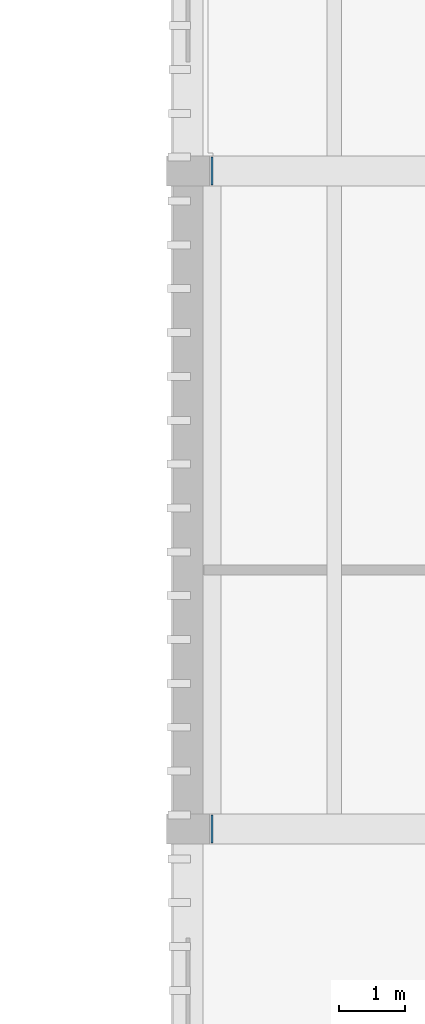
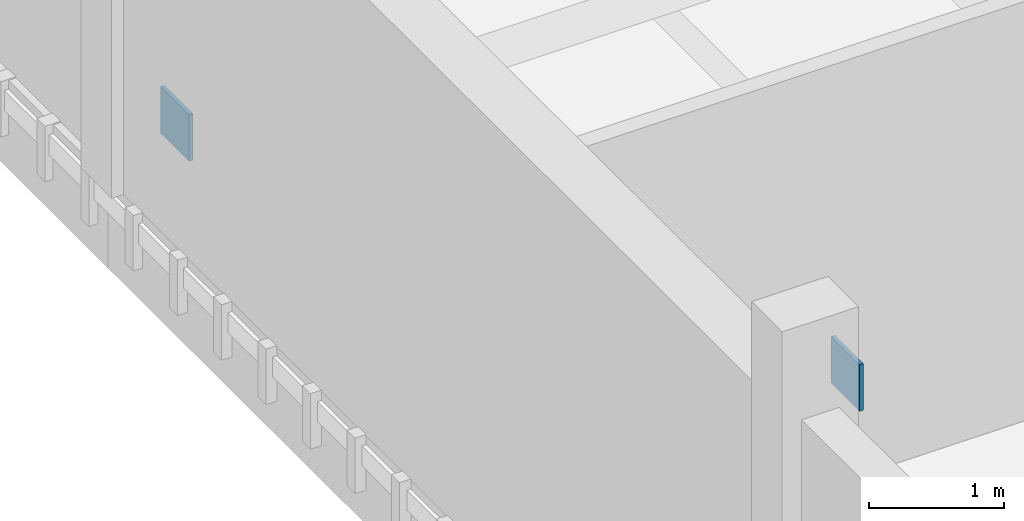
# One storey, part 19 of 39: 2 plates.
"""IFC4 building model written with IfcOpenShell, lengths in metres."""

from ifc_helpers import new_model, si_unit, direction, frame, origin, origin_2d, place, context, subcontext, project, spatial, rectangle, extrude, material, layer, layer_set, type_object, element, save


model = new_model("IFC4")

# Units and contexts
model_context = context("Model", 3, precision=1e-05, world=origin(), true_north=direction((0.0, 1.0)))
body_context = subcontext(model_context, "Body", "Model", "MODEL_VIEW")
ifc_project = project(units=[si_unit("LENGTHUNIT", "METRE"), si_unit("AREAUNIT", "SQUARE_METRE"), si_unit("VOLUMEUNIT", "CUBIC_METRE"), si_unit("PLANEANGLEUNIT", "RADIAN"), si_unit("MASSUNIT", "GRAM", prefix="KILO")], contexts=[model_context])

# Site, building, storey
site_placement = place(None, origin())
site = spatial("IfcSite", under=ifc_project, at=site_placement, CompositionType="ELEMENT")
building_placement = place(site_placement, origin())
building = spatial("IfcBuilding", under=site, at=building_placement, Name="Dornvale Research Institute", CompositionType="ELEMENT")
storey_placement = place(building_placement, frame((0.0, 0.0, 24.60009765625)))
storey = spatial("IfcBuildingStorey", under=building, at=storey_placement, Name="L05", CompositionType="ELEMENT", Elevation=24.60009765625)

# Plates
ifc_material = material(Name="Steel ASTM A572 Grade 50", Category="steel")
ifc_layer = layer(ifc_material, 0.031982421875)
ifc_layer_set = layer_set([ifc_layer], Name="Steel ASTM A572 Grade 50")
plate_type = type_object("IfcPlateType", Name="SheetPlate_Gusset_32", PredefinedType="SHEET", material=ifc_layer_set)
for number, where, z_axis, x_axis, name in (
    (1, (119.159912109375, 112.199951171875, 0.08984375), (0.0, 0.0, 1.0), (0.0, 1.0, 0.0), "HSS brace node gusset and cap plate ND-049"),
    (2, (119.159912109375, 102.300048828125, 3.83984375), (0.0, 0.0, 1.0), (0.0, 1.0, 0.0), "HSS brace node gusset and cap plate ND-050"),
):
    element("IfcPlate", number, at=place(storey_placement, frame(where, z_axis=z_axis, x_axis=x_axis)), inside=storey, type_object=plate_type, Name=name, PredefinedType="SHEET", context=body_context, shape_type="SweptSolid", body=[
        extrude(rectangle(XDim=0.419921875, YDim=0.031982421875, at=origin_2d()), origin(), (0.0, 0.0, 1.0), 0.419921875),
    ])

save(model, "model.ifc")
